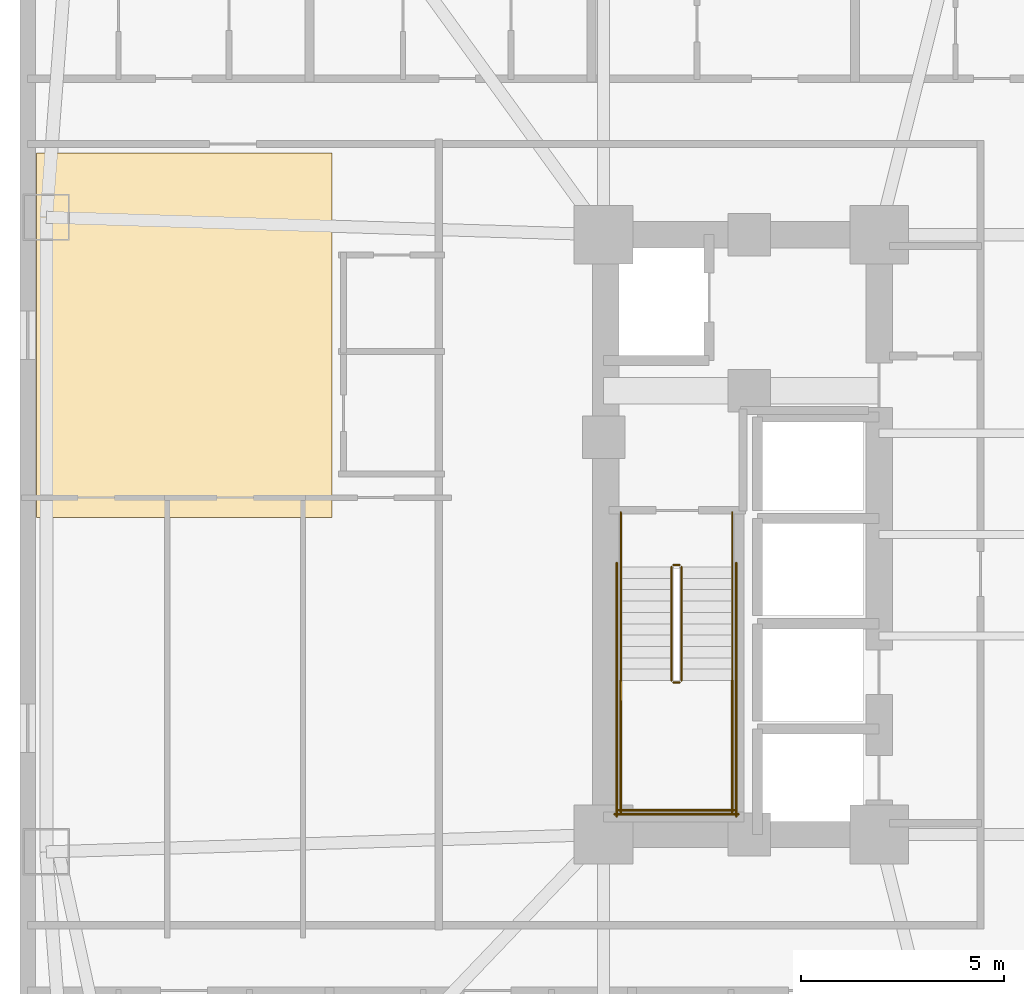
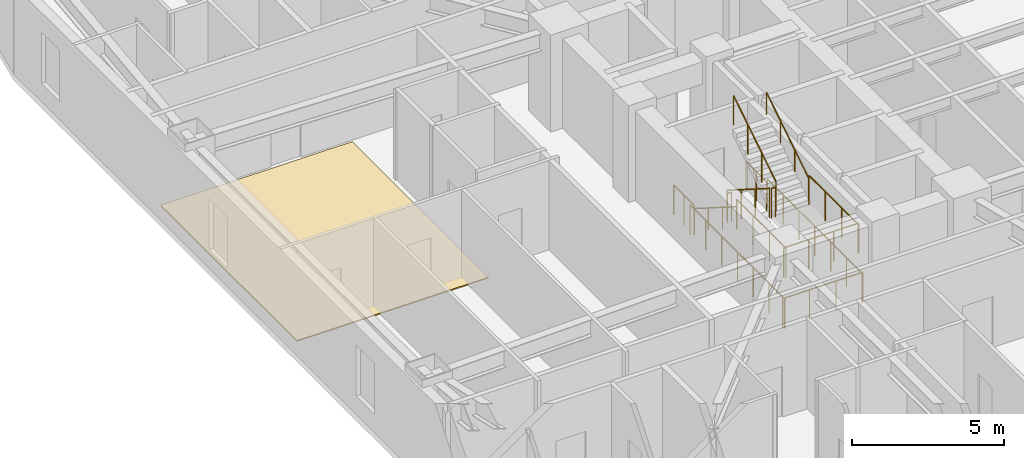
# One storey, part 10 of 11: 14 railings, 1 covering.
"""IFC4 building model written with IfcOpenShell, lengths in metres."""

import ifcopenshell
import ifcopenshell.guid

model = None  # the IFC model being written
_history = None  # IfcOwnerHistory: only IFC2X3 demands one
_inside = {}  # id of a spatial element -> (the spatial element, [elements in it])
_under = {}  # id of a project, library or spatial element -> (it, [spatial elements below it])
_declared = {}  # id of a project -> (the project, [libraries it declares])
_typed = {}  # id of a type object -> (the type object, [elements of that type])
_made_of = {}  # id of a material, layer set ... -> (it, [elements and type objects made of it])


def new_model(schema):
    """Start an empty IFC model of exactly this schema.

    Asked for "IFC4X3", IfcOpenShell would pick the latest addendum, in which some entities
    have other attributes; the version numbers below select the first issue.
    IFC2X3 requires an IfcOwnerHistory on every rooted entity: one is made here for all.
    """
    global model, _history
    if schema == "IFC4X3":
        model = ifcopenshell.file(schema_version=(4, 3, 0, 0))
    else:
        model = ifcopenshell.file(schema=schema)
    _inside.clear()
    _under.clear()
    _declared.clear()
    _typed.clear()
    _made_of.clear()
    _history = None
    if model.schema == "IFC2X3":
        org = make("IfcOrganization", Name="unknown")
        user = make(
            "IfcPersonAndOrganization",
            ThePerson=make("IfcPerson", FamilyName="unknown"),
            TheOrganization=org,
        )
        app = make(
            "IfcApplication",
            ApplicationDeveloper=org,
            Version="unknown",
            ApplicationFullName="unknown",
            ApplicationIdentifier="unknown",
        )
        _history = make(
            "IfcOwnerHistory",
            OwningUser=user,
            OwningApplication=app,
            ChangeAction="ADDED",
            CreationDate=0,
        )
    return model


def make(cls, **values):
    """One entity of the class cls with the attributes given. An attribute that is None is left unset."""
    return model.create_entity(
        cls, **{name: value for name, value in values.items() if value is not None}
    )


def rooted(cls, **values):
    """An entity with a GlobalId (a new one), such as an element, a storey or a relation."""
    return make(cls, GlobalId=ifcopenshell.guid.new(), OwnerHistory=_history, **values)


def si_unit(unit_type, name, prefix=None):
    """IfcSIUnit, for example si_unit("LENGTHUNIT", "METRE", prefix="MILLI")."""
    return make("IfcSIUnit", UnitType=unit_type, Prefix=prefix, Name=name)


def assignment(units):
    """IfcUnitAssignment: the units of a project."""
    return None if units is None else make("IfcUnitAssignment", Units=units)


def point(xyz):
    """IfcCartesianPoint."""
    return None if xyz is None else make("IfcCartesianPoint", Coordinates=xyz)


def direction(xyz):
    """IfcDirection."""
    return None if xyz is None else make("IfcDirection", DirectionRatios=xyz)


def frame(location, z_axis=None, x_axis=None):
    """IfcAxis2Placement3D, a coordinate frame: its origin and axes. An axis left out is left unset."""
    return make(
        "IfcAxis2Placement3D",
        Location=point(location),
        Axis=direction(z_axis),
        RefDirection=direction(x_axis),
    )


def frame_2d(location, x_axis=None):
    """IfcAxis2Placement2D, a coordinate frame in the plane: its origin and x axis."""
    return make(
        "IfcAxis2Placement2D", Location=point(location), RefDirection=direction(x_axis)
    )


def origin():
    """The frame at (0, 0, 0) with its axes left unset."""
    return frame((0.0, 0.0, 0.0))


def origin_2d():
    """The frame at (0, 0) in the plane with its x axis left unset."""
    return frame_2d((0.0, 0.0))


def place(relative_to, where):
    """IfcLocalPlacement: puts the frame where relative to a parent placement (None: the world)."""
    return make(
        "IfcLocalPlacement", PlacementRelTo=relative_to, RelativePlacement=where
    )


def context(
    kind, dimensions, precision=None, world=None, true_north=None, identifier=None
):
    """IfcGeometricRepresentationContext, for example the 3D "Model" context."""
    return make(
        "IfcGeometricRepresentationContext",
        ContextIdentifier=identifier,
        ContextType=kind,
        CoordinateSpaceDimension=dimensions,
        Precision=precision,
        WorldCoordinateSystem=world,
        TrueNorth=true_north,
    )


def subcontext(parent, identifier, kind, view, scale=None):
    """IfcGeometricRepresentationSubContext, for example "Body" below "Model"."""
    return make(
        "IfcGeometricRepresentationSubContext",
        ContextIdentifier=identifier,
        ContextType=kind,
        ParentContext=parent,
        TargetScale=scale,
        TargetView=view,
    )


def project(units=None, contexts=None):
    """IfcProject with its units and contexts."""
    return rooted(
        "IfcProject",
        Name="project",
        RepresentationContexts=contexts,
        UnitsInContext=assignment(units),
    )


def spatial(cls, under=None, at=None, **own):
    """A site, building, storey or space (cls), placed at a placement, below another one or the project."""
    s = rooted(cls, ObjectPlacement=at, **own)
    if under is not None:
        _under.setdefault(under.id(), (under, []))[1].append(s)
    return s


def polyline(points):
    """IfcPolyline through the points."""
    return make("IfcPolyline", Points=[point(p) for p in points])


def profile(cls, at=None, kind="AREA", **sizes):
    """A parametric profile (cls). Its sizes go by their IFC names, for example OverallWidth=200.0."""
    return make(cls, ProfileType=kind, Position=at, **sizes)


def circle(**sizes):
    """IfcCircleProfileDef."""
    return profile("IfcCircleProfileDef", **sizes)


def outline(outer, holes=None, kind="AREA"):
    """IfcArbitraryClosedProfileDef: a profile drawn as a closed curve; with holes, ...WithVoids."""
    if holes is None:
        return make("IfcArbitraryClosedProfileDef", ProfileType=kind, OuterCurve=outer)
    return make(
        "IfcArbitraryProfileDefWithVoids",
        ProfileType=kind,
        OuterCurve=outer,
        InnerCurves=holes,
    )


def extrude(swept, where, along, depth):
    """IfcExtrudedAreaSolid: the profile swept, set in the frame where, extruded along a direction by depth."""
    return make(
        "IfcExtrudedAreaSolid",
        SweptArea=swept,
        Position=where,
        ExtrudedDirection=direction(along),
        Depth=depth,
    )


def shape(context_of_items, identifier, shape_type, items):
    """IfcShapeRepresentation: the items that make up one representation, for example the "Body"."""
    return make(
        "IfcShapeRepresentation",
        ContextOfItems=context_of_items,
        RepresentationIdentifier=identifier,
        RepresentationType=shape_type,
        Items=items,
    )


def material(Name=None, Category=None):
    """IfcMaterial."""
    return make("IfcMaterial", Name=Name, Category=Category)


def layer(
    of_material, thickness, ventilated=None, Name=None, Category=None, Priority=None
):
    """IfcMaterialLayer: one layer of a wall or slab, of a material (None: an air gap)."""
    return make(
        "IfcMaterialLayer",
        Material=of_material,
        LayerThickness=thickness,
        IsVentilated=ventilated,
        Name=Name,
        Category=Category,
        Priority=Priority,
    )


def layer_set(layers, Name=None):
    """IfcMaterialLayerSet."""
    return make("IfcMaterialLayerSet", MaterialLayers=layers, LayerSetName=Name)


def made_of(thing, what):
    """Note that an element or type object is made of a material, layer set ...; save() writes the relation."""
    if what is not None:
        _made_of.setdefault(what.id(), (what, []))[1].append(thing)
    return thing


def type_object(cls, material=None, **own):
    """A type object (cls), such as IfcWallType, which elements share."""
    return made_of(rooted(cls, **own), material)


def element(
    cls,
    number,
    at=None,
    inside=None,
    cuts=None,
    type_object=None,
    material=None,
    context=None,
    identifier="Body",
    shape_type=None,
    held_by="IfcProductDefinitionShape",
    body=None,
    shapes=None,
    **own,
):
    """One element of the class cls, such as IfcWall. Its Tag is "e" and its number.

    at: its placement. inside: the storey or other place that contains it. cuts: it is an
    opening in that element (IfcRelVoidsElement). A single representation is given by context,
    identifier, shape_type and body (its items); several are given by shapes. held_by: the class
    of the entity that holds the representations. save() writes the other relations.
    """
    e = rooted(cls, Tag="e%d" % number, ObjectPlacement=at, **own)
    if body is not None:
        shapes = [shape(context, identifier, shape_type, body)]
    if shapes is not None:
        e.Representation = make(held_by, Representations=shapes)
    if inside is not None:
        _inside.setdefault(inside.id(), (inside, []))[1].append(e)
    if cuts is not None:
        rooted(
            "IfcRelVoidsElement", RelatingBuildingElement=cuts, RelatedOpeningElement=e
        )
    if type_object is not None:
        _typed.setdefault(type_object.id(), (type_object, []))[1].append(e)
    return made_of(e, material)


def aggregate(whole, parts):
    """IfcRelAggregates: a whole, such as a stair, and the parts it consists of."""
    return rooted("IfcRelAggregates", RelatingObject=whole, RelatedObjects=parts)


def save(model, path):
    """Write the relations noted so far, then the file.

    IfcRelAggregates (storeys below a building ...), IfcRelContainedInSpatialStructure (elements
    in a storey), IfcRelDefinesByType, IfcRelAssociatesMaterial and IfcRelDeclares: one each for
    every whole, place, type object, material and project.
    """
    for whole, parts in _under.values():
        aggregate(whole, parts)
    for where, things in _inside.values():
        rooted(
            "IfcRelContainedInSpatialStructure",
            RelatedElements=things,
            RelatingStructure=where,
        )
    for kind, things in _typed.values():
        rooted("IfcRelDefinesByType", RelatedObjects=things, RelatingType=kind)
    for what, things in _made_of.values():
        rooted("IfcRelAssociatesMaterial", RelatedObjects=things, RelatingMaterial=what)
    for by, libraries in _declared.values():
        rooted("IfcRelDeclares", RelatingContext=by, RelatedDefinitions=libraries)
    model.write(path)


model = new_model("IFC4")

# Units and contexts
model_context = context("Model", 3, precision=1e-05, world=origin(), true_north=direction((0.0, 1.0)))
body_context = subcontext(model_context, "Body", "Model", "MODEL_VIEW")
ifc_project = project(units=[si_unit("LENGTHUNIT", "METRE"), si_unit("AREAUNIT", "SQUARE_METRE"), si_unit("VOLUMEUNIT", "CUBIC_METRE"), si_unit("PLANEANGLEUNIT", "RADIAN"), si_unit("MASSUNIT", "GRAM", prefix="KILO")], contexts=[model_context])

# Site, building, storey
site_placement = place(None, origin())
site = spatial("IfcSite", under=ifc_project, at=site_placement, CompositionType="ELEMENT")
building_placement = place(site_placement, origin())
building = spatial("IfcBuilding", under=site, at=building_placement, Name="Voryun Gate Residences", CompositionType="ELEMENT")
storey_placement = place(building_placement, frame((0.0, 0.0, 76.699951171875)))
storey = spatial("IfcBuildingStorey", under=building, at=storey_placement, Name="L18", CompositionType="ELEMENT", Elevation=76.699951171875)

# Covering
ifc_material_1 = material(Name="Architectural oak flooring")
ifc_layer = layer(ifc_material_1, 0.044921875, Name="COV_FLOOR_ONDOL_OAK")
ifc_layer_set = layer_set([ifc_layer], Name="Architectural oak flooring")
covering_type = type_object("IfcCoveringType", Name="COV_FLOOR_ONDOL_OAK", PredefinedType="FLOORING", material=ifc_layer_set)
covering_placement = place(storey_placement, origin())
element("IfcCovering", 1, at=covering_placement, inside=storey, type_object=covering_type, Name="Ondol oak floor FLR-L18-01", PredefinedType="FLOORING", context=body_context, shape_type="SweptSolid", body=[
    extrude(outline(polyline([(-25.89990234375, 9.419921875), (-25.89990234375, 0.419921875), (-33.197509765625, 0.419921875), (-33.197509765625, 9.419921875), (-25.89990234375, 9.419921875)])), origin(), (0.0, 0.0, 1.0), 0.045166015625),
])

# Railings
ifc_material_2 = material(Name="Painted steel", Category="steel")
railing_type_1 = type_object("IfcRailingType", Name="RAIL_STAIR_GUARD_1200", PredefinedType="GUARDRAIL", material=ifc_material_2)
railing_1_placement = place(storey_placement, frame((-17.52490234375, -0.800048828125, 0.17724609375)))
element("IfcRailing", 2, at=railing_1_placement, inside=storey, type_object=railing_type_1, Name="L18 ST-W1 stair guard 1", PredefinedType="GUARDRAIL", context=body_context, shape_type="SweptSolid", body=[
    extrude(circle(Radius=0.02392578125, at=origin_2d()), frame((0.0, 0.0, 1.17578125), z_axis=(0.0, -0.844908973607, 0.534910110503), x_axis=(1.0, 0.0, 0.0)), (0.0, 0.0, 1.0), 3.31396484375),
    extrude(circle(Radius=0.02099609375, at=origin_2d()), origin(), (0.0, 0.0, 1.0), 1.15185546875),
    extrude(circle(Radius=0.02099609375, at=origin_2d()), frame((0.0, -0.933349609375, 0.5908203125)), (0.0, 0.0, 1.0), 1.15185546875),
    extrude(circle(Radius=0.02099609375, at=origin_2d()), frame((0.0, -1.86669921875, 1.181884765625)), (0.0, 0.0, 1.0), 1.15185546875),
    extrude(circle(Radius=0.02099609375, at=origin_2d()), frame((0.0, -2.800048828125, 1.772705078125)), (0.0, 0.0, 1.0), 1.15185546875),
])
railing_2_placement = place(storey_placement, frame((-17.47509765625, -3.64990234375, 1.949951171875)))
element("IfcRailing", 3, at=railing_2_placement, inside=storey, type_object=railing_type_1, Name="L18 ST-W1 stair guard 2", PredefinedType="GUARDRAIL", context=body_context, shape_type="SweptSolid", body=[
    extrude(circle(Radius=0.02392578125, at=origin_2d()), frame((0.0, 0.0, 1.17578125), z_axis=(1.0, 0.0, 0.0), x_axis=(0.0, 1.0, 0.0)), (0.0, 0.0, 1.0), 0.150146484375),
    extrude(circle(Radius=0.02099609375, at=origin_2d()), origin(), (0.0, 0.0, 1.0), 1.15185546875),
    extrude(circle(Radius=0.02099609375, at=origin_2d()), frame((0.150146484375, 0.0, 0.0)), (0.0, 0.0, 1.0), 1.15185546875),
])
for number, where, name in (
    (4, (-18.77490234375, -3.60009765625, 1.949951171875), "L18 ST-W1 stair guard 3"),
    (5, (-16.02490234375, -3.60009765625, 1.949951171875), "L18 ST-W1 stair guard 4"),
):
    element("IfcRailing", number, at=place(storey_placement, frame(where)), inside=storey, type_object=railing_type_1, Name=name, PredefinedType="GUARDRAIL", context=body_context, shape_type="SweptSolid", body=[
        extrude(circle(Radius=0.02392578125, at=origin_2d()), frame((0.0, 0.0, 1.17578125), z_axis=(0.0, -1.0, 0.0), x_axis=(1.0, 0.0, 0.0)), (0.0, 0.0, 1.0), 3.25),
        extrude(circle(Radius=0.02099609375, at=origin_2d()), origin(), (0.0, 0.0, 1.0), 1.15185546875),
        extrude(circle(Radius=0.02099609375, at=origin_2d()), frame((0.0, -1.083251953125, 0.0)), (0.0, 0.0, 1.0), 1.15185546875),
        extrude(circle(Radius=0.02099609375, at=origin_2d()), frame((0.0, -2.166748046875, 0.0)), (0.0, 0.0, 1.0), 1.15185546875),
        extrude(circle(Radius=0.02099609375, at=origin_2d()), frame((0.0, -3.25, 0.0)), (0.0, 0.0, 1.0), 1.15185546875),
    ])
railing_3_placement = place(storey_placement, frame((-18.824951171875, -6.800048828125, 1.949951171875)))
element("IfcRailing", 6, at=railing_3_placement, inside=storey, type_object=railing_type_1, Name="L18 ST-W1 stair guard 5", PredefinedType="GUARDRAIL", context=body_context, shape_type="SweptSolid", body=[
    extrude(circle(Radius=0.02392578125, at=origin_2d()), frame((0.0, 0.0, 1.17578125), z_axis=(1.0, 0.0, 0.0), x_axis=(0.0, 1.0, 0.0)), (0.0, 0.0, 1.0), 2.849853515625),
    extrude(circle(Radius=0.02099609375, at=origin_2d()), origin(), (0.0, 0.0, 1.0), 1.15185546875),
    extrude(circle(Radius=0.02099609375, at=origin_2d()), frame((0.949951171875, 0.0, 0.0)), (0.0, 0.0, 1.0), 1.15185546875),
    extrude(circle(Radius=0.02099609375, at=origin_2d()), frame((1.89990234375, 0.0, 0.0)), (0.0, 0.0, 1.0), 1.15185546875),
    extrude(circle(Radius=0.02099609375, at=origin_2d()), frame((2.849853515625, 0.0, 0.0)), (0.0, 0.0, 1.0), 1.15185546875),
])
railing_4_placement = place(storey_placement, frame((-17.27490234375, -3.60009765625, 2.12744140625)))
element("IfcRailing", 7, at=railing_4_placement, inside=storey, type_object=railing_type_1, Name="L18 ST-W1 stair guard 6", PredefinedType="GUARDRAIL", context=body_context, shape_type="SweptSolid", body=[
    extrude(circle(Radius=0.02392578125, at=origin_2d()), frame((0.0, 0.0, 1.17578125), z_axis=(0.0, 0.844908973607, 0.534910110503), x_axis=(-1.0, 0.0, 0.0)), (0.0, 0.0, 1.0), 3.31396484375),
    extrude(circle(Radius=0.02099609375, at=origin_2d()), origin(), (0.0, 0.0, 1.0), 1.15185546875),
    extrude(circle(Radius=0.02099609375, at=origin_2d()), frame((0.0, 0.933349609375, 0.5908203125)), (0.0, 0.0, 1.0), 1.15185546875),
    extrude(circle(Radius=0.02099609375, at=origin_2d()), frame((0.0, 1.86669921875, 1.181884765625)), (0.0, 0.0, 1.0), 1.15185546875),
    extrude(circle(Radius=0.02099609375, at=origin_2d()), frame((0.0, 2.800048828125, 1.772705078125)), (0.0, 0.0, 1.0), 1.15185546875),
])
railing_5_placement = place(storey_placement, frame((-17.47509765625, -0.75, 0.0)))
element("IfcRailing", 8, at=railing_5_placement, inside=storey, type_object=railing_type_1, Name="L18 ST-W1 stair guard 7", PredefinedType="GUARDRAIL", context=body_context, shape_type="SweptSolid", body=[
    extrude(circle(Radius=0.02392578125, at=origin_2d()), frame((0.0, 0.0, 1.17578125), z_axis=(1.0, 0.0, 0.0), x_axis=(0.0, 1.0, 0.0)), (0.0, 0.0, 1.0), 0.150146484375),
    extrude(circle(Radius=0.02099609375, at=origin_2d()), origin(), (0.0, 0.0, 1.0), 1.15185546875),
    extrude(circle(Radius=0.02099609375, at=origin_2d()), frame((0.150146484375, 0.0, 0.0)), (0.0, 0.0, 1.0), 1.15185546875),
])
for number, where, name in (
    (9, (-18.77490234375, 0.550048828125, 0.0), "L18 ST-W1 stair guard 8"),
    (10, (-16.02490234375, 0.550048828125, 0.0), "L18 ST-W1 stair guard 9"),
):
    element("IfcRailing", number, at=place(storey_placement, frame(where)), inside=storey, type_object=railing_type_1, Name=name, PredefinedType="GUARDRAIL", context=body_context, shape_type="SweptSolid", body=[
        extrude(circle(Radius=0.02392578125, at=origin_2d()), frame((0.0, 0.0, 1.17578125), z_axis=(0.0, -1.0, 0.0), x_axis=(1.0, 0.0, 0.0)), (0.0, 0.0, 1.0), 1.35009765625),
        extrude(circle(Radius=0.02099609375, at=origin_2d()), origin(), (0.0, 0.0, 1.0), 1.15185546875),
        extrude(circle(Radius=0.02099609375, at=origin_2d()), frame((0.0, -0.675048828125, 0.0)), (0.0, 0.0, 1.0), 1.15185546875),
        extrude(circle(Radius=0.02099609375, at=origin_2d()), frame((0.0, -1.35009765625, 0.0)), (0.0, 0.0, 1.0), 1.15185546875),
    ])
for number, where, name in (
    (11, (-18.875, -0.699951171875, 0.0), "L18 ST-W1 stair guard 10"),
    (12, (-15.925048828125, -0.699951171875, 0.0), "L18 ST-W1 stair guard 11"),
):
    element("IfcRailing", number, at=place(storey_placement, frame(where)), inside=storey, type_object=railing_type_1, Name=name, PredefinedType="GUARDRAIL", context=body_context, shape_type="SweptSolid", body=[
        extrude(circle(Radius=0.02392578125, at=origin_2d()), frame((0.0, 0.0, 1.17578125), z_axis=(0.0, -1.0, 0.0), x_axis=(1.0, 0.0, 0.0)), (0.0, 0.0, 1.0), 6.25),
        extrude(circle(Radius=0.02099609375, at=origin_2d()), origin(), (0.0, 0.0, 1.0), 1.15185546875),
        extrude(circle(Radius=0.02099609375, at=origin_2d()), frame((0.0, -1.041748046875, 0.0)), (0.0, 0.0, 1.0), 1.15185546875),
        extrude(circle(Radius=0.02099609375, at=origin_2d()), frame((0.0, -2.083251953125, 0.0)), (0.0, 0.0, 1.0), 1.15185546875),
        extrude(circle(Radius=0.02099609375, at=origin_2d()), frame((0.0, -3.125, 0.0)), (0.0, 0.0, 1.0), 1.15185546875),
        extrude(circle(Radius=0.02099609375, at=origin_2d()), frame((0.0, -4.166748046875, 0.0)), (0.0, 0.0, 1.0), 1.15185546875),
        extrude(circle(Radius=0.02099609375, at=origin_2d()), frame((0.0, -5.208251953125, 0.0)), (0.0, 0.0, 1.0), 1.15185546875),
        extrude(circle(Radius=0.02099609375, at=origin_2d()), frame((0.0, -6.25, 0.0)), (0.0, 0.0, 1.0), 1.15185546875),
    ])
railing_6_placement = place(storey_placement, frame((-18.925048828125, -6.89990234375, 0.0)))
element("IfcRailing", 13, at=railing_6_placement, inside=storey, type_object=railing_type_1, Name="L18 ST-W1 stair guard 12", PredefinedType="GUARDRAIL", context=body_context, shape_type="SweptSolid", body=[
    extrude(circle(Radius=0.02392578125, at=origin_2d()), frame((0.0, 0.0, 1.17578125), z_axis=(1.0, 0.0, 0.0), x_axis=(0.0, 1.0, 0.0)), (0.0, 0.0, 1.0), 3.050048828125),
    extrude(circle(Radius=0.02099609375, at=origin_2d()), origin(), (0.0, 0.0, 1.0), 1.15185546875),
    extrude(circle(Radius=0.02099609375, at=origin_2d()), frame((1.0166015625, 0.0, 0.0)), (0.0, 0.0, 1.0), 1.15185546875),
    extrude(circle(Radius=0.02099609375, at=origin_2d()), frame((2.033447265625, 0.0, 0.0)), (0.0, 0.0, 1.0), 1.15185546875),
    extrude(circle(Radius=0.02099609375, at=origin_2d()), frame((3.050048828125, 0.0, 0.0)), (0.0, 0.0, 1.0), 1.15185546875),
])
ifc_material_3 = material(Name="Painted steel", Category="steel")
railing_type_2 = type_object("IfcRailingType", Name="RAIL_STAIR_HANDRAIL_900", PredefinedType="HANDRAIL", material=ifc_material_3)
railing_7_placement = place(storey_placement, frame((-18.77490234375, -0.800048828125, 0.17724609375)))
element("IfcRailing", 14, at=railing_7_placement, inside=storey, type_object=railing_type_2, Name="L18 ST-W1 stair handrail 1", PredefinedType="HANDRAIL", context=body_context, shape_type="SweptSolid", body=[
    extrude(circle(Radius=0.02392578125, at=origin_2d()), frame((0.0, 0.0, 0.8759765625), z_axis=(0.0, -0.844908973607, 0.534910110503), x_axis=(1.0, 0.0, 0.0)), (0.0, 0.0, 1.0), 3.31396484375),
    extrude(circle(Radius=0.02099609375, at=origin_2d()), origin(), (0.0, 0.0, 1.0), 0.851806640625),
    extrude(circle(Radius=0.02099609375, at=origin_2d()), frame((0.0, -0.933349609375, 0.5908203125)), (0.0, 0.0, 1.0), 0.851806640625),
    extrude(circle(Radius=0.02099609375, at=origin_2d()), frame((0.0, -1.86669921875, 1.181884765625)), (0.0, 0.0, 1.0), 0.851806640625),
    extrude(circle(Radius=0.02099609375, at=origin_2d()), frame((0.0, -2.800048828125, 1.772705078125)), (0.0, 0.0, 1.0), 0.851806640625),
])
railing_8_placement = place(storey_placement, frame((-16.02490234375, -3.60009765625, 2.12744140625)))
element("IfcRailing", 15, at=railing_8_placement, inside=storey, type_object=railing_type_2, Name="L18 ST-W1 stair handrail 2", PredefinedType="HANDRAIL", context=body_context, shape_type="SweptSolid", body=[
    extrude(circle(Radius=0.02392578125, at=origin_2d()), frame((0.0, 0.0, 0.8759765625), z_axis=(0.0, 0.844908973607, 0.534910110503), x_axis=(-1.0, 0.0, 0.0)), (0.0, 0.0, 1.0), 3.31396484375),
    extrude(circle(Radius=0.02099609375, at=origin_2d()), origin(), (0.0, 0.0, 1.0), 0.851806640625),
    extrude(circle(Radius=0.02099609375, at=origin_2d()), frame((0.0, 0.933349609375, 0.5908203125)), (0.0, 0.0, 1.0), 0.851806640625),
    extrude(circle(Radius=0.02099609375, at=origin_2d()), frame((0.0, 1.86669921875, 1.181884765625)), (0.0, 0.0, 1.0), 0.851806640625),
    extrude(circle(Radius=0.02099609375, at=origin_2d()), frame((0.0, 2.800048828125, 1.772705078125)), (0.0, 0.0, 1.0), 0.851806640625),
])

save(model, "model.ifc")
